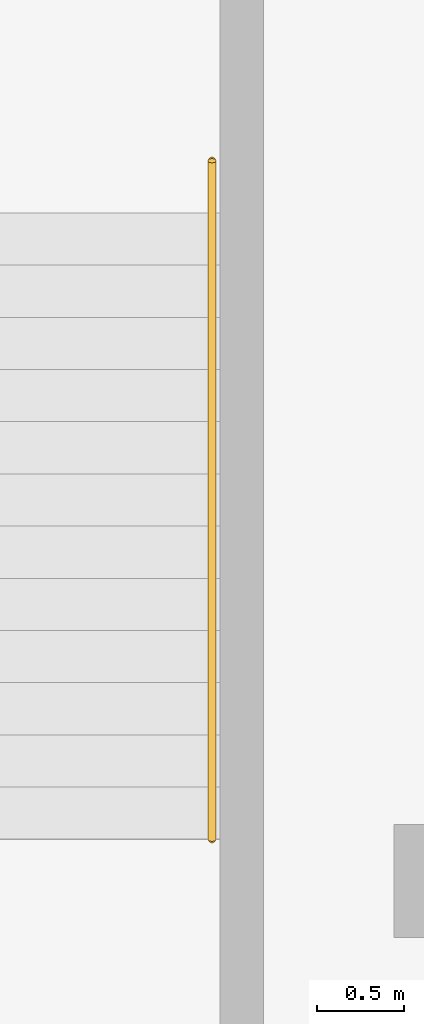
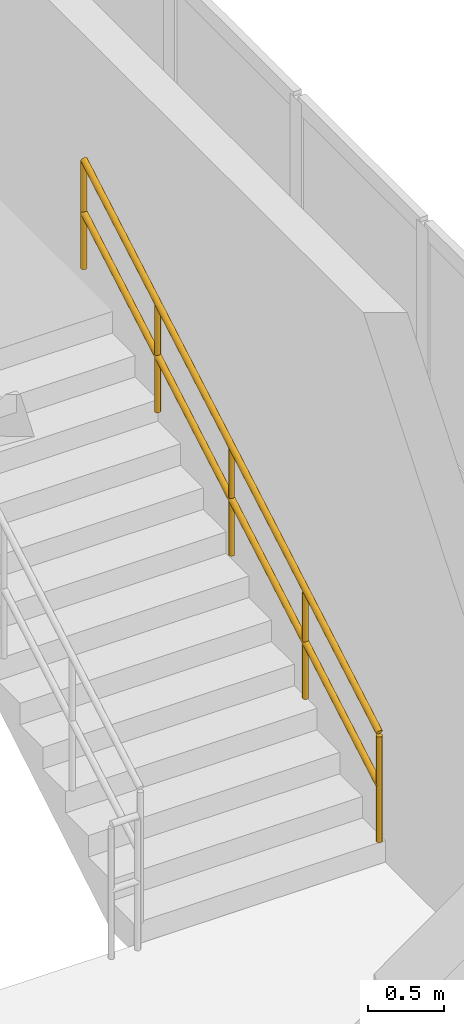
# One storey, part 51 of 54: 1 railing.
"""IFC4 building model written with IfcOpenShell, lengths in metres."""

from ifc_helpers import new_model, si_unit, direction, frame, origin, origin_2d, place, context, subcontext, project, spatial, circle, extrude, material, type_object, element, save


model = new_model("IFC4")

# Units and contexts
model_context = context("Model", 3, precision=1e-05, world=origin(), true_north=direction((0.0, 1.0)))
body_context = subcontext(model_context, "Body", "Model", "MODEL_VIEW")
ifc_project = project(units=[si_unit("LENGTHUNIT", "METRE"), si_unit("AREAUNIT", "SQUARE_METRE"), si_unit("VOLUMEUNIT", "CUBIC_METRE"), si_unit("PLANEANGLEUNIT", "RADIAN"), si_unit("MASSUNIT", "GRAM", prefix="KILO")], contexts=[model_context])

# Site, building, storey
site_placement = place(None, origin())
site = spatial("IfcSite", under=ifc_project, at=site_placement, CompositionType="ELEMENT")
building_placement = place(site_placement, origin())
building = spatial("IfcBuilding", under=site, at=building_placement, Name="Marnock Terrace Opera House", CompositionType="ELEMENT")
storey_placement = place(building_placement, frame((0.0, 0.0, 19.199951171875)))
storey = spatial("IfcBuildingStorey", under=building, at=storey_placement, Name="L04", CompositionType="ELEMENT", Elevation=19.199951171875)

# Railing
ifc_material = material(Name="Architectural bronze balustrade")
railing_type = type_object("IfcRailingType", Name="RL-HAND-900", PredefinedType="HANDRAIL", material=ifc_material)
railing_placement = place(storey_placement, frame((107.6298828125, 48.239990234375, 0.18505859375)))
element("IfcRailing", 1, at=railing_placement, inside=storey, type_object=railing_type, Name="L04 ST-02 stair handrail 1", PredefinedType="HANDRAIL", context=body_context, shape_type="SweptSolid", body=[
    extrude(circle(Radius=0.02392578125, at=origin_2d()), frame((0.0, 0.0, 0.8759765625), z_axis=(0.0, 0.866180169578, 0.49973184192), x_axis=(-1.0, 0.0, 0.0)), (0.0, 0.0, 1.0), 4.50244140625),
    extrude(circle(Radius=0.02392578125, at=origin_2d()), frame((0.0, 0.0, 0.449951171875), z_axis=(0.0, 0.866180169578, 0.49973184192), x_axis=(-1.0, 0.0, 0.0)), (0.0, 0.0, 1.0), 4.50244140625),
    extrude(circle(Radius=0.02099609375, at=origin_2d()), origin(), (0.0, 0.0, 1.0), 0.851806640625),
    extrude(circle(Radius=0.02099609375, at=origin_2d()), frame((0.0, 0.97509765625, 0.5625)), (0.0, 0.0, 1.0), 0.851806640625),
    extrude(circle(Radius=0.02099609375, at=origin_2d()), frame((0.0, 1.949951171875, 1.125)), (0.0, 0.0, 1.0), 0.851806640625),
    extrude(circle(Radius=0.02099609375, at=origin_2d()), frame((0.0, 2.9248046875, 1.6875)), (0.0, 0.0, 1.0), 0.851806640625),
    extrude(circle(Radius=0.02099609375, at=origin_2d()), frame((0.0, 3.89990234375, 2.25)), (0.0, 0.0, 1.0), 0.851806640625),
])

save(model, "model.ifc")
